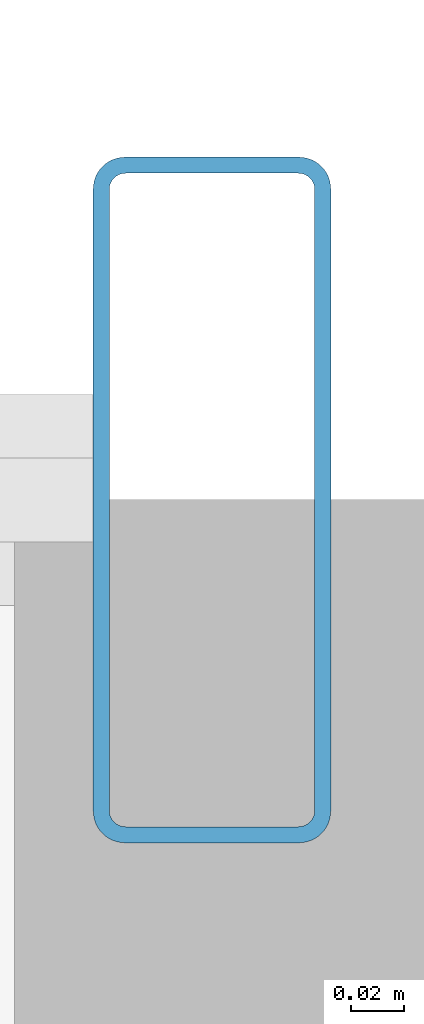
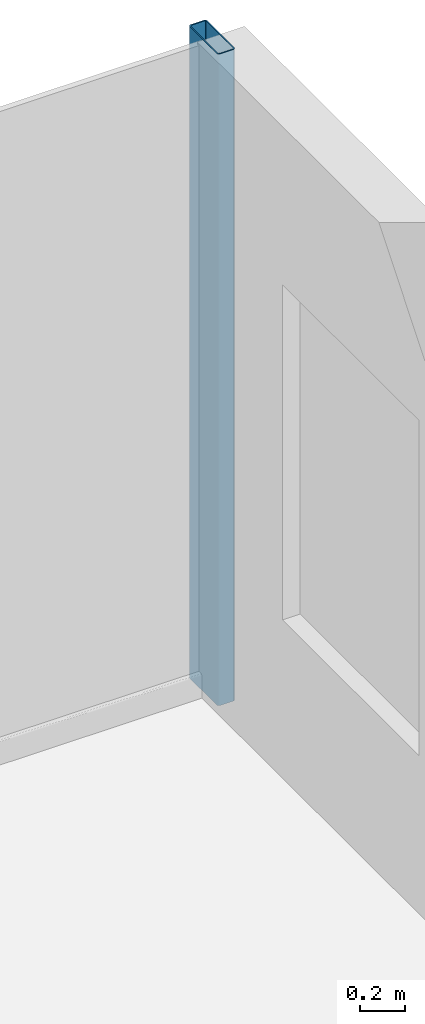
# One storey, part 14 of 26: 1 member, 1 element without a shape of its own.
"""IFC4 building model written with IfcOpenShell, lengths in metres."""

from ifc_helpers import new_model, si_unit, direction, frame, origin, origin_2d, place, context, subcontext, project, spatial, hollow_rectangle, extrude, source, transform, mapped, material, layer, layer_set, material_profile, profile_set, type_object, element, aggregate, save


model = new_model("IFC4")

# Units and contexts
model_context = context("Model", 3, precision=1e-05, world=origin(), true_north=direction((0.0, 1.0)))
body_context = subcontext(model_context, "Body", "Model", "MODEL_VIEW")
ifc_project = project(units=[si_unit("LENGTHUNIT", "METRE"), si_unit("AREAUNIT", "SQUARE_METRE"), si_unit("VOLUMEUNIT", "CUBIC_METRE"), si_unit("PLANEANGLEUNIT", "RADIAN"), si_unit("MASSUNIT", "GRAM", prefix="KILO")], contexts=[model_context])

# Site, building, storey
site_placement = place(None, origin())
site = spatial("IfcSite", under=ifc_project, at=site_placement, CompositionType="ELEMENT")
building_placement = place(site_placement, origin())
building = spatial("IfcBuilding", under=site, at=building_placement, Name="Nefas-Gora Pilgrimage Tower", CompositionType="ELEMENT")
storey_placement = place(building_placement, frame((0.0, 0.0, 82.39990234375)))
storey = spatial("IfcBuildingStorey", under=building, at=storey_placement, Name="L19", CompositionType="ELEMENT", Elevation=82.39990234375)

# Curtain wall, member
ifc_material_1 = material(Name="Dark ceramic-fritted solar-control aluminium-glass curtain wall", Category="aluminium")
ifc_layer = layer(ifc_material_1, 0.219970703125)
ifc_layer_set = layer_set([ifc_layer], Name="Dark ceramic-fritted solar-control aluminium-glass curtain wall")
curtain_wall_type = type_object("IfcCurtainWallType", Name="CW-SYS-2", PredefinedType="NOTDEFINED", material=ifc_layer_set)
curtain_wall_placement = place(storey_placement, origin())
curtain_wall = element("IfcCurtainWall", 1, at=curtain_wall_placement, inside=storey, type_object=curtain_wall_type, Name="L19 Unitised Curtain Wall CW2", PredefinedType="NOTDEFINED")
ifc_material_2 = material(Name="Anodised architectural aluminium", Category="aluminium")
ifc_material_profile = material_profile(ifc_material_2, hollow_rectangle(XDim=0.090087890625, YDim=0.260009765625, WallThickness=0.006103515625, InnerFilletRadius=0.006103515625, OuterFilletRadius=0.011962890625, at=origin_2d()), Name="ALU MULLION 90x260")
ifc_profile_set = profile_set([ifc_material_profile], Name="Anodised architectural aluminium")
member_type = type_object("IfcMemberType", Name="CWM-MUL-2", PredefinedType="MULLION", material=ifc_profile_set)
shared_shape = source(origin(), body_context, "Body", "SweptSolid", [
    extrude(hollow_rectangle(XDim=0.090087890625, YDim=0.260009765625, WallThickness=0.006103515625, InnerFilletRadius=0.006103515625, OuterFilletRadius=0.011962890625, at=origin_2d()), origin(), (0.0, 0.0, 1.0), 3.5),
])
member_placement = place(storey_placement, frame((28.824951171875, 23.02001953125, 0.0), z_axis=(0.0, 0.0, 1.0), x_axis=(-1.0, 0.0, 0.0)))
member = element("IfcMember", 2, at=member_placement, type_object=member_type, Name="CW2 Mullion 1", PredefinedType="MULLION", context=body_context, shape_type="MappedRepresentation", body=[
    mapped(shared_shape, transform((0.0, 0.0, 0.0), x_axis=(1.0, 0.0, 0.0), y_axis=(0.0, 1.0, 0.0), z_axis=(0.0, 0.0, 1.0), scale=1.0)),
])
aggregate(curtain_wall, [member])

save(model, "model.ifc")
